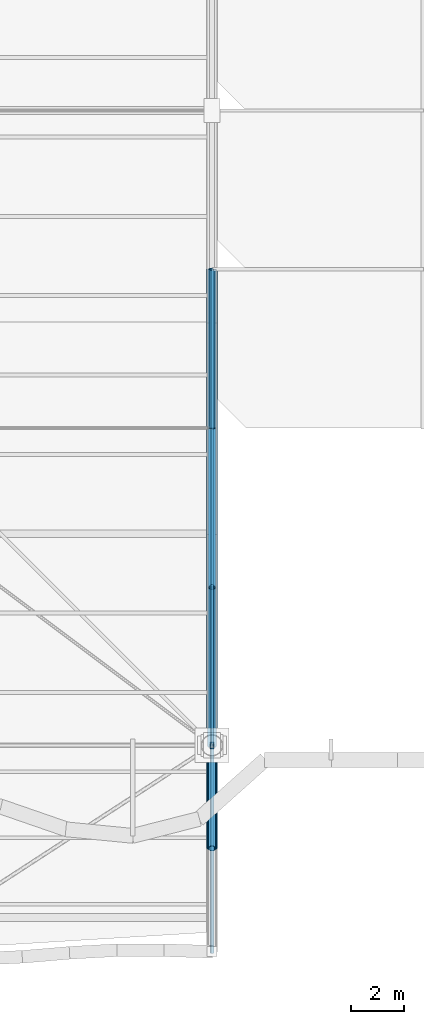
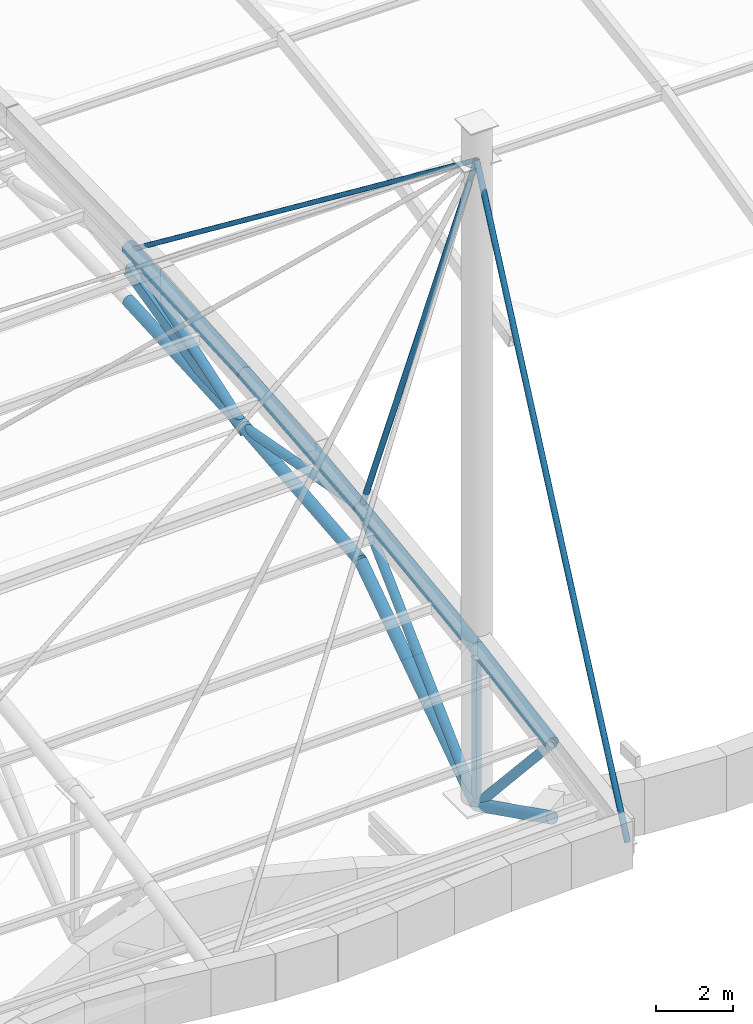
# One storey, part 16 of 29: 17 members.
"""IFC4 building model written with IfcOpenShell, lengths in metres."""

from ifc_helpers import new_model, si_unit, direction, frame, origin, origin_2d, place, context, subcontext, project, spatial, hollow_rectangle, hollow_circle, extrude, material, material_profile, profile_set, type_object, element, save


model = new_model("IFC4")

# Units and contexts
model_context = context("Model", 3, precision=1e-05, world=origin(), true_north=direction((0.0, 1.0)))
body_context = subcontext(model_context, "Body", "Model", "MODEL_VIEW")
ifc_project = project(units=[si_unit("LENGTHUNIT", "METRE"), si_unit("AREAUNIT", "SQUARE_METRE"), si_unit("VOLUMEUNIT", "CUBIC_METRE"), si_unit("PLANEANGLEUNIT", "RADIAN"), si_unit("MASSUNIT", "GRAM", prefix="KILO")], contexts=[model_context])

# Site, building, storey
site_placement = place(None, origin())
site = spatial("IfcSite", under=ifc_project, at=site_placement, CompositionType="ELEMENT")
building_placement = place(site_placement, origin())
building = spatial("IfcBuilding", under=site, at=building_placement, Name="Keelwater Ferry Terminal", CompositionType="ELEMENT")
storey_placement = place(building_placement, frame((0.0, 0.0, 27.89990234375)))
storey = spatial("IfcBuildingStorey", under=building, at=storey_placement, Name="RF", CompositionType="ELEMENT", Elevation=27.89990234375)

# Members
ifc_material_1 = material(Name="Steel S355", Category="steel")
ifc_material_profile_1 = material_profile(ifc_material_1, hollow_circle(Radius=0.136474609375, WallThickness=0.012451171875, at=origin_2d()), Name="CHS 273x12.5")
ifc_profile_set_1 = profile_set([ifc_material_profile_1], Name="Steel S355")
member_type_1 = type_object("IfcMemberType", Name="BR2 CHS 273x12.5", PredefinedType="BRACE", material=ifc_profile_set_1)
member_1_placement = place(storey_placement, frame((132.0, 42.0, -13.0498046875), z_axis=(0.0, 0.721460060019, 0.692456050445), x_axis=(-1.0, 0.0, 0.0)))
element("IfcMember", 1, at=member_1_placement, inside=storey, type_object=member_type_1, Name="Structural Member MB-RF-0232", PredefinedType="BRACE", context=body_context, shape_type="SweptSolid", body=[
    extrude(hollow_circle(Radius=0.136474609375, WallThickness=0.012451171875, at=origin_2d()), origin(), (0.0, 0.0, 1.0), 8.31640625),
])
member_2_placement = place(storey_placement, frame((132.0, 48.0, -7.291015625), z_axis=(0.0, 0.982995131621, -0.183631618216), x_axis=(-1.0, 0.0, 0.0)))
element("IfcMember", 2, at=member_2_placement, inside=storey, type_object=member_type_1, Name="Structural Member MB-RF-0235", PredefinedType="BRACE", context=body_context, shape_type="SweptSolid", body=[
    extrude(hollow_circle(Radius=0.136474609375, WallThickness=0.012451171875, at=origin_2d()), origin(), (0.0, 0.0, 1.0), 6.103759765625),
])
member_3_placement = place(storey_placement, frame((132.0, 54.0, -8.411865234375), z_axis=(0.0, 0.946488800041, 0.322736659519), x_axis=(-1.0, 0.0, 0.0)))
element("IfcMember", 3, at=member_3_placement, inside=storey, type_object=member_type_1, Name="Structural Member MB-RF-0238", PredefinedType="BRACE", context=body_context, shape_type="SweptSolid", body=[
    extrude(hollow_circle(Radius=0.136474609375, WallThickness=0.012451171875, at=origin_2d()), origin(), (0.0, 0.0, 1.0), 6.339111328125),
])
ifc_material_2 = material(Name="Steel S355", Category="steel")
ifc_material_profile_2 = material_profile(ifc_material_2, hollow_circle(Radius=0.136474609375, WallThickness=0.012451171875, at=origin_2d()), Name="CHS 273x12.5")
ifc_profile_set_2 = profile_set([ifc_material_profile_2], Name="Steel S355")
member_type_2 = type_object("IfcMemberType", Name="BR2E CHS 273x12.5", PredefinedType="BRACE", material=ifc_profile_set_2)
member_4_placement = place(storey_placement, frame((132.0, 38.10009765625, -8.75), z_axis=(0.0, 0.671822451348, -0.74071222068), x_axis=(-1.0, 0.0, 0.0)))
element("IfcMember", 4, at=member_4_placement, inside=storey, type_object=member_type_2, Name="Structural Member MB-RF-0229", PredefinedType="BRACE", context=body_context, shape_type="SweptSolid", body=[
    extrude(hollow_circle(Radius=0.136474609375, WallThickness=0.012451171875, at=origin_2d()), origin(), (0.0, 0.0, 1.0), 5.804931640625),
])
ifc_material_3 = material(Name="Steel S355", Category="steel")
ifc_material_profile_3 = material_profile(ifc_material_3, hollow_rectangle(XDim=0.14990234375, YDim=0.25, WallThickness=0.010009765625, at=origin_2d()), Name="RHS 250x150x10")
ifc_profile_set_3 = profile_set([ifc_material_profile_3], Name="Steel S355")
member_type_3 = type_object("IfcMemberType", Name="BR5 RHS 250x150x10", PredefinedType="BRACE", material=ifc_profile_set_3)
member_5_placement = place(storey_placement, frame((132.0, 42.0, -13.0498046875), z_axis=(0.0, 0.0, 1.0), x_axis=(1.0, 0.0, 0.0)))
element("IfcMember", 5, at=member_5_placement, inside=storey, type_object=member_type_3, Name="Structural Member MB-RF-0223", PredefinedType="BRACE", context=body_context, shape_type="SweptSolid", body=[
    extrude(hollow_rectangle(XDim=0.14990234375, YDim=0.25, WallThickness=0.010009765625, at=origin_2d()), origin(), (0.0, 0.0, 1.0), 4.949951171875),
])
ifc_material_4 = material(Name="Steel S460", Category="steel")
ifc_material_profile_4 = material_profile(ifc_material_4, hollow_circle(Radius=0.084228515625, WallThickness=0.012451171875, at=origin_2d()), Name="CHS 168.3x12.5")
ifc_profile_set_4 = profile_set([ifc_material_profile_4], Name="Steel S460")
member_type_4 = type_object("IfcMemberType", Name="SC1E CHS 168.3x12.5", PredefinedType="USERDEFINED", material=ifc_profile_set_4)
member_6_placement = place(storey_placement, frame((132.0, 42.0, 7.300048828125), z_axis=(0.0, 0.378097227373, -0.925765891926), x_axis=(-1.0, 0.0, 0.0)))
element("IfcMember", 6, at=member_6_placement, inside=storey, type_object=member_type_4, Name="Structural Member MB-RF-0399", ObjectType="CABLE", PredefinedType="USERDEFINED", context=body_context, shape_type="SweptSolid", body=[
    extrude(hollow_circle(Radius=0.084228515625, WallThickness=0.012451171875, at=origin_2d()), origin(), (0.0, 0.0, 1.0), 15.868896484375),
])
member_7_placement = place(storey_placement, frame((132.0, 42.0, 7.300048828125), z_axis=(0.0, -0.421157782458, -0.906987388157), x_axis=(1.0, 0.0, 0.0)))
element("IfcMember", 7, at=member_7_placement, inside=storey, type_object=member_type_4, Name="Structural Member MB-RF-0401", ObjectType="CABLE", PredefinedType="USERDEFINED", context=body_context, shape_type="SweptSolid", body=[
    extrude(hollow_circle(Radius=0.084228515625, WallThickness=0.012451171875, at=origin_2d()), origin(), (0.0, 0.0, 1.0), 18.5205078125),
])
ifc_material_5 = material(Name="Steel S460", Category="steel")
ifc_material_profile_5 = material_profile(ifc_material_5, hollow_circle(Radius=0.06982421875, WallThickness=0.010009765625, at=origin_2d()), Name="CHS 139.7x10")
ifc_profile_set_5 = profile_set([ifc_material_profile_5], Name="Steel S460")
member_type_5 = type_object("IfcMemberType", Name="SC2E CHS 139.7x10", PredefinedType="USERDEFINED", material=ifc_profile_set_5)
member_8_placement = place(storey_placement, frame((132.0, 42.0, 7.300048828125), z_axis=(0.0, 0.794333061913, -0.607482499132), x_axis=(-1.0, 0.0, 0.0)))
element("IfcMember", 8, at=member_8_placement, inside=storey, type_object=member_type_5, Name="Structural Member MB-RF-0400", ObjectType="CABLE", PredefinedType="USERDEFINED", context=body_context, shape_type="SweptSolid", body=[
    extrude(hollow_circle(Radius=0.06982421875, WallThickness=0.010009765625, at=origin_2d()), origin(), (0.0, 0.0, 1.0), 22.660400390625),
])
ifc_material_6 = material(Name="Steel S355", Category="steel")
ifc_material_profile_6 = material_profile(ifc_material_6, hollow_circle(Radius=0.203125, WallThickness=0.01611328125, at=origin_2d()), Name="CHS 406.4x16")
ifc_profile_set_6 = profile_set([ifc_material_profile_6], Name="Steel S355")
member_type_6 = type_object("IfcMemberType", Name="TC1 CHS 406.4x16", PredefinedType="CHORD", material=ifc_profile_set_6)
member_9_placement = place(storey_placement, frame((132.0, 42.0, -8.099853515625), z_axis=(0.0, 0.991035625786, 0.133597860849), x_axis=(-1.0, 0.0, 0.0)))
element("IfcMember", 9, at=member_9_placement, inside=storey, type_object=member_type_6, Name="Structural Member MB-RF-0230", PredefinedType="CHORD", context=body_context, shape_type="SweptSolid", body=[
    extrude(hollow_circle(Radius=0.203125, WallThickness=0.01611328125, at=origin_2d()), origin(), (0.0, 0.0, 1.0), 6.05419921875),
])
member_10_placement = place(storey_placement, frame((132.0, 48.0, -7.291015625), z_axis=(0.0, 0.995374532886, 0.096070491211), x_axis=(-1.0, 0.0, 0.0)))
element("IfcMember", 10, at=member_10_placement, inside=storey, type_object=member_type_6, Name="Structural Member MB-RF-0233", PredefinedType="CHORD", context=body_context, shape_type="SweptSolid", body=[
    extrude(hollow_circle(Radius=0.203125, WallThickness=0.01611328125, at=origin_2d()), origin(), (0.0, 0.0, 1.0), 6.02783203125),
])
member_11_placement = place(storey_placement, frame((132.0, 54.0, -6.7119140625), z_axis=(0.0, 0.998341917567, 0.05756227609), x_axis=(-1.0, 0.0, 0.0)))
element("IfcMember", 11, at=member_11_placement, inside=storey, type_object=member_type_6, Name="Structural Member MB-RF-0236", PredefinedType="CHORD", context=body_context, shape_type="SweptSolid", body=[
    extrude(hollow_circle(Radius=0.203125, WallThickness=0.01611328125, at=origin_2d()), origin(), (0.0, 0.0, 1.0), 6.010009765625),
])
ifc_material_7 = material(Name="Steel S355", Category="steel")
ifc_material_profile_7 = material_profile(ifc_material_7, hollow_circle(Radius=0.203125, WallThickness=0.01611328125, at=origin_2d()), Name="CHS 406.4x16")
ifc_profile_set_7 = profile_set([ifc_material_profile_7], Name="Steel S355")
member_type_7 = type_object("IfcMemberType", Name="TC1E CHS 406.4x16", PredefinedType="CHORD", material=ifc_profile_set_7)
member_12_placement = place(storey_placement, frame((132.0, 38.10009765625, -8.75), z_axis=(0.0, 0.986387247392, 0.164439040929), x_axis=(-1.0, 0.0, 0.0)))
element("IfcMember", 12, at=member_12_placement, inside=storey, type_object=member_type_7, Name="Structural Member MB-RF-0227", PredefinedType="CHORD", context=body_context, shape_type="SweptSolid", body=[
    extrude(hollow_circle(Radius=0.203125, WallThickness=0.01611328125, at=origin_2d()), origin(), (0.0, 0.0, 1.0), 3.95361328125),
])
ifc_material_8 = material(Name="Steel S355", Category="steel")
ifc_material_profile_8 = material_profile(ifc_material_8, hollow_circle(Radius=0.177734375, WallThickness=0.01611328125, at=origin_2d()), Name="CHS 355.6x16")
ifc_profile_set_8 = profile_set([ifc_material_profile_8], Name="Steel S355")
member_type_8 = type_object("IfcMemberType", Name="TC2 CHS 355.6x16", PredefinedType="CHORD", material=ifc_profile_set_8)
member_13_placement = place(storey_placement, frame((132.0, 42.0, -13.0498046875), z_axis=(0.0, 0.828282493048, 0.560310727821), x_axis=(-1.0, 0.0, 0.0)))
element("IfcMember", 13, at=member_13_placement, inside=storey, type_object=member_type_8, Name="Structural Member MB-RF-0231", PredefinedType="CHORD", context=body_context, shape_type="SweptSolid", body=[
    extrude(hollow_circle(Radius=0.177734375, WallThickness=0.01611328125, at=origin_2d()), origin(), (0.0, 0.0, 1.0), 7.243896484375),
])
member_14_placement = place(storey_placement, frame((132.0, 48.0, -8.990966796875), z_axis=(0.0, 0.995374532886, 0.096070491211), x_axis=(-1.0, 0.0, 0.0)))
element("IfcMember", 14, at=member_14_placement, inside=storey, type_object=member_type_8, Name="Structural Member MB-RF-0234", PredefinedType="CHORD", context=body_context, shape_type="SweptSolid", body=[
    extrude(hollow_circle(Radius=0.177734375, WallThickness=0.01611328125, at=origin_2d()), origin(), (0.0, 0.0, 1.0), 6.02783203125),
])
member_15_placement = place(storey_placement, frame((132.0, 54.0, -8.411865234375), z_axis=(0.0, 0.998341917567, 0.05756227609), x_axis=(-1.0, 0.0, 0.0)))
element("IfcMember", 15, at=member_15_placement, inside=storey, type_object=member_type_8, Name="Structural Member MB-RF-0237", PredefinedType="CHORD", context=body_context, shape_type="SweptSolid", body=[
    extrude(hollow_circle(Radius=0.177734375, WallThickness=0.01611328125, at=origin_2d()), origin(), (0.0, 0.0, 1.0), 6.010009765625),
])
ifc_material_9 = material(Name="Steel S355", Category="steel")
ifc_material_profile_9 = material_profile(ifc_material_9, hollow_circle(Radius=0.177734375, WallThickness=0.01611328125, at=origin_2d()), Name="CHS 355.6x16")
ifc_profile_set_9 = profile_set([ifc_material_profile_9], Name="Steel S355")
member_type_9 = type_object("IfcMemberType", Name="TC2E CHS 355.6x16", PredefinedType="CHORD", material=ifc_profile_set_9)
member_16_placement = place(storey_placement, frame((132.0, 38.10009765625, -11.099853515625), z_axis=(0.0, 0.894427191, -0.4472135955), x_axis=(-1.0, 0.0, 0.0)))
element("IfcMember", 16, at=member_16_placement, inside=storey, type_object=member_type_9, Name="Structural Member MB-RF-0228", PredefinedType="CHORD", context=body_context, shape_type="SweptSolid", body=[
    extrude(hollow_circle(Radius=0.177734375, WallThickness=0.01611328125, at=origin_2d()), origin(), (0.0, 0.0, 1.0), 4.360107421875),
])
ifc_material_10 = material(Name="Steel S355", Category="steel")
ifc_material_profile_10 = material_profile(ifc_material_10, hollow_rectangle(XDim=0.199951171875, YDim=0.39990234375, WallThickness=0.01611328125, at=origin_2d()), Name="RHS 400x200x16")
ifc_profile_set_10 = profile_set([ifc_material_profile_10], Name="Steel S355")
member_type_10 = type_object("IfcMemberType", Name="TC3 RHS 400x200x16", PredefinedType="CHORD", material=ifc_profile_set_10)
member_17_placement = place(storey_placement, frame((132.0, 54.0, -8.494873046875), z_axis=(0.0, 0.972236638658, 0.233999825751), x_axis=(-1.0, 0.0, 0.0)))
element("IfcMember", 17, at=member_17_placement, inside=storey, type_object=member_type_10, Name="Structural Member MB-RF-0434", PredefinedType="CHORD", context=body_context, shape_type="SweptSolid", body=[
    extrude(hollow_rectangle(XDim=0.199951171875, YDim=0.39990234375, WallThickness=0.01611328125, at=origin_2d()), origin(), (0.0, 0.0, 1.0), 6.17138671875),
])

save(model, "model.ifc")
